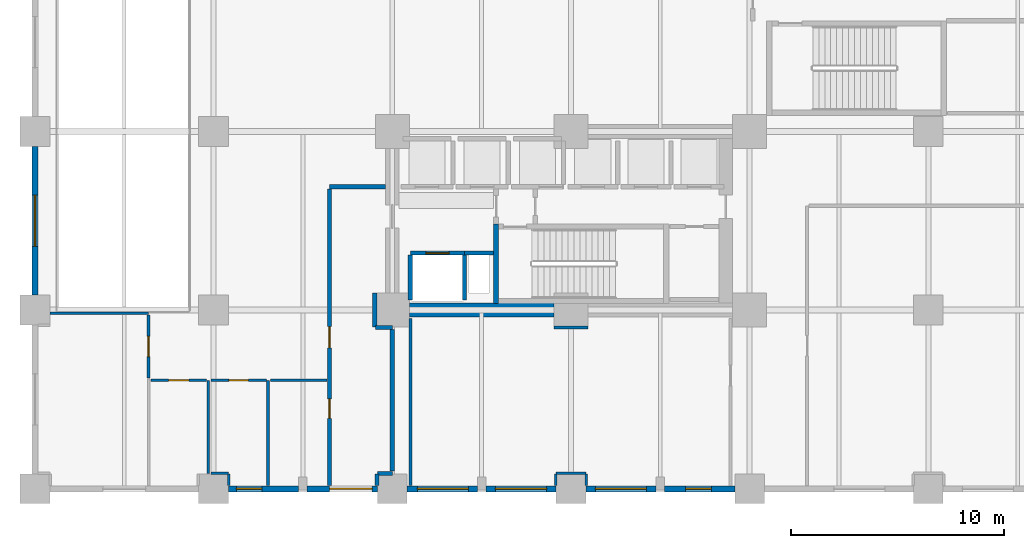
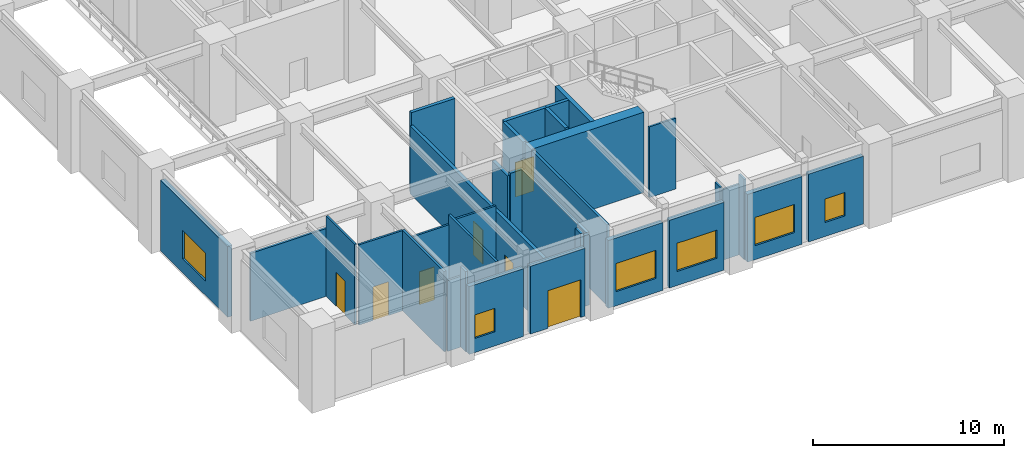
# One storey, part 3 of 13: 34 walls, 7 doors, 6 windows, 13 openings.
"""IFC4 building model written with IfcOpenShell, lengths in metres."""

from ifc_helpers import new_model, si_unit, direction, frame, frame_2d, origin, place, context, subcontext, project, spatial, rectangle, extrude, material, layer, layer_set, type_object, element, fill, save


model = new_model("IFC4")

# Units and contexts
model_context = context("Model", 3, precision=1e-05, world=origin(), true_north=direction((0.0, 1.0)))
body_context = subcontext(model_context, "Body", "Model", "MODEL_VIEW")
ifc_project = project(units=[si_unit("LENGTHUNIT", "METRE"), si_unit("AREAUNIT", "SQUARE_METRE"), si_unit("VOLUMEUNIT", "CUBIC_METRE"), si_unit("PLANEANGLEUNIT", "RADIAN"), si_unit("MASSUNIT", "GRAM", prefix="KILO")], contexts=[model_context])

# Site, building, storey
site_placement = place(None, origin())
site = spatial("IfcSite", under=ifc_project, at=site_placement, CompositionType="ELEMENT")
building_placement = place(site_placement, origin())
building = spatial("IfcBuilding", under=site, at=building_placement, Name="Nerrivon Quay Data Exchange", CompositionType="ELEMENT")
storey_placement = place(building_placement, origin())
storey = spatial("IfcBuildingStorey", under=building, at=storey_placement, Name="L00", CompositionType="ELEMENT", Elevation=0.0)

# Wall, opening, window
ifc_material_1 = material(Name="Precast concrete N50 (50 MPa)", Category="concrete")
ifc_layer_1 = layer(ifc_material_1, 0.280029296875)
ifc_layer_set_1 = layer_set([ifc_layer_1], Name="Precast concrete N50 (50 MPa)")
wall_type_1 = type_object("IfcWallType", Name="EW-PREC-280", PredefinedType="STANDARD", material=ifc_layer_set_1)
wall_1_placement = place(storey_placement, frame((0.0, 9.10009765625, 0.0), z_axis=(0.0, 0.0, 1.0), x_axis=(0.0, 1.0, 0.0)))
wall_1 = element("IfcWall", 1, at=wall_1_placement, inside=storey, type_object=wall_type_1, Name="L00 Podium Exterior Wall 2", PredefinedType="STANDARD", context=body_context, shape_type="SweptSolid", body=[
    extrude(rectangle(XDim=7.0, YDim=0.280029296875, at=frame_2d((3.5, 0.0))), origin(), (0.0, 0.0, 1.0), 4.512939453125),
])
opening_1_placement = place(wall_1_placement, frame((2.300048828125, 0.0, 0.89990234375)))
opening_1 = element("IfcOpeningElement", 2, at=opening_1_placement, cuts=wall_1, Name="Opening WN1", PredefinedType="OPENING", context=body_context, shape_type="SweptSolid", body=[
    extrude(rectangle(XDim=2.39990234375, YDim=1.800048828125, at=frame_2d((1.199951171875, 0.89990234375))), frame((0.0, 0.14990234375, 0.0), z_axis=(0.0, -1.0, 0.0), x_axis=(1.0, 0.0, 0.0)), (0.0, 0.0, 1.0), 0.300048828125),
])
ifc_material_2 = material(Name="Double-glazed low-E solar control glass", Category="glass")
window_type_1 = type_object("IfcWindowType", Name="WIN-W1-2400x1800", PartitioningType="SINGLE_PANEL", PredefinedType="WINDOW", material=ifc_material_2)
window_1_placement = place(opening_1_placement, origin())
window_1 = element("IfcWindow", 3, at=window_1_placement, inside=storey, type_object=window_type_1, Name="L00 Podium Window 2", OverallHeight=1.800048828125, OverallWidth=2.39990234375, PartitioningType="SINGLE_PANEL", PredefinedType="WINDOW", context=body_context, shape_type="SweptSolid", body=[
    extrude(rectangle(XDim=2.39990234375, YDim=1.800048828125, at=frame_2d((1.199951171875, 0.89990234375))), frame((0.0, 0.030029296875, 0.0), z_axis=(0.0, -1.0, 0.0), x_axis=(1.0, 0.0, 0.0)), (0.0, 0.0, 1.0), 0.06005859375),
])
fill(opening_1, window_1)

wall_2_placement = place(storey_placement, frame((32.89990234375, 0.0, 0.0), z_axis=(0.0, 0.0, 1.0), x_axis=(-1.0, 0.0, 0.0)))
wall_2 = element("IfcWall", 4, at=wall_2_placement, inside=storey, type_object=wall_type_1, Name="L00 Podium Exterior Wall 23", PredefinedType="STANDARD", context=body_context, shape_type="SweptSolid", body=[
    extrude(rectangle(XDim=3.2998046875, YDim=0.280029296875, at=frame_2d((1.64990234375, 0.0))), origin(), (0.0, 0.0, 1.0), 4.324951171875),
])
opening_2_placement = place(wall_2_placement, frame((1.10498046875, 0.0, 0.89990234375)))
opening_2 = element("IfcOpeningElement", 5, at=opening_2_placement, cuts=wall_2, Name="Opening WN3", PredefinedType="OPENING", context=body_context, shape_type="SweptSolid", body=[
    extrude(rectangle(XDim=1.199951171875, YDim=1.5, at=frame_2d((0.60009765625, 0.75))), frame((0.0, 0.14990234375, 0.0), z_axis=(0.0, -1.0, 0.0), x_axis=(1.0, 0.0, 0.0)), (0.0, 0.0, 1.0), 0.300048828125),
])
window_type_2 = type_object("IfcWindowType", Name="WIN-W3-1200x1500", PartitioningType="SINGLE_PANEL", PredefinedType="WINDOW", material=ifc_material_2)
window_2_placement = place(opening_2_placement, origin())
window_2 = element("IfcWindow", 6, at=window_2_placement, inside=storey, type_object=window_type_2, Name="L00 Podium Window 23", OverallHeight=1.5, OverallWidth=1.199951171875, PartitioningType="SINGLE_PANEL", PredefinedType="WINDOW", context=body_context, shape_type="SweptSolid", body=[
    extrude(rectangle(XDim=1.199951171875, YDim=1.5, at=frame_2d((0.60009765625, 0.75))), frame((0.0, 0.030029296875, 0.0), z_axis=(0.0, -1.0, 0.0), x_axis=(1.0, 0.0, 0.0)), (0.0, 0.0, 1.0), 0.06005859375),
])
fill(opening_2, window_2)

wall_3_placement = place(storey_placement, frame((29.199951171875, 0.0, 0.0), z_axis=(0.0, 0.0, 1.0), x_axis=(-1.0, 0.0, 0.0)))
wall_3 = element("IfcWall", 7, at=wall_3_placement, inside=storey, type_object=wall_type_1, Name="L00 Podium Exterior Wall 24", PredefinedType="STANDARD", context=body_context, shape_type="SweptSolid", body=[
    extrude(rectangle(XDim=3.300048828125, YDim=0.280029296875, at=frame_2d((1.64990234375, 0.0))), origin(), (0.0, 0.0, 1.0), 4.324951171875),
])
opening_3_placement = place(wall_3_placement, frame((0.449951171875, 0.0, 0.89990234375)))
opening_3 = element("IfcOpeningElement", 8, at=opening_3_placement, cuts=wall_3, Name="Opening WN1", PredefinedType="OPENING", context=body_context, shape_type="SweptSolid", body=[
    extrude(rectangle(XDim=2.39990234375, YDim=1.800048828125, at=frame_2d((1.199951171875, 0.89990234375))), frame((0.0, 0.14990234375, 0.0), z_axis=(0.0, -1.0, 0.0), x_axis=(1.0, 0.0, 0.0)), (0.0, 0.0, 1.0), 0.300048828125),
])
window_3_placement = place(opening_3_placement, origin())
window_3 = element("IfcWindow", 9, at=window_3_placement, inside=storey, type_object=window_type_1, Name="L00 Podium Window 24", OverallHeight=1.800048828125, OverallWidth=2.39990234375, PartitioningType="SINGLE_PANEL", PredefinedType="WINDOW", context=body_context, shape_type="SweptSolid", body=[
    extrude(rectangle(XDim=2.39990234375, YDim=1.800048828125, at=frame_2d((1.199951171875, 0.89990234375))), frame((0.0, 0.030029296875, 0.0), z_axis=(0.0, -1.0, 0.0), x_axis=(1.0, 0.0, 0.0)), (0.0, 0.0, 1.0), 0.06005859375),
])
fill(opening_3, window_3)

wall_4_placement = place(storey_placement, frame((24.5, 0.0, 0.0), z_axis=(0.0, 0.0, 1.0), x_axis=(-1.0, 0.0, 0.0)))
wall_4 = element("IfcWall", 10, at=wall_4_placement, inside=storey, type_object=wall_type_1, Name="L00 Podium Exterior Wall 25", PredefinedType="STANDARD", context=body_context, shape_type="SweptSolid", body=[
    extrude(rectangle(XDim=3.300048828125, YDim=0.280029296875, at=frame_2d((1.64990234375, 0.0))), origin(), (0.0, 0.0, 1.0), 4.324951171875),
])
opening_4_placement = place(wall_4_placement, frame((0.449951171875, 0.0, 0.89990234375)))
opening_4 = element("IfcOpeningElement", 11, at=opening_4_placement, cuts=wall_4, Name="Opening WN1", PredefinedType="OPENING", context=body_context, shape_type="SweptSolid", body=[
    extrude(rectangle(XDim=2.39990234375, YDim=1.800048828125, at=frame_2d((1.199951171875, 0.89990234375))), frame((0.0, 0.14990234375, 0.0), z_axis=(0.0, -1.0, 0.0), x_axis=(1.0, 0.0, 0.0)), (0.0, 0.0, 1.0), 0.300048828125),
])
window_4_placement = place(opening_4_placement, origin())
window_4 = element("IfcWindow", 12, at=window_4_placement, inside=storey, type_object=window_type_1, Name="L00 Podium Window 25", OverallHeight=1.800048828125, OverallWidth=2.39990234375, PartitioningType="SINGLE_PANEL", PredefinedType="WINDOW", context=body_context, shape_type="SweptSolid", body=[
    extrude(rectangle(XDim=2.39990234375, YDim=1.800048828125, at=frame_2d((1.199951171875, 0.89990234375))), frame((0.0, 0.030029296875, 0.0), z_axis=(0.0, -1.0, 0.0), x_axis=(1.0, 0.0, 0.0)), (0.0, 0.0, 1.0), 0.06005859375),
])
fill(opening_4, window_4)

wall_5_placement = place(storey_placement, frame((20.800048828125, 0.0, 0.0), z_axis=(0.0, 0.0, 1.0), x_axis=(-1.0, 0.0, 0.0)))
wall_5 = element("IfcWall", 13, at=wall_5_placement, inside=storey, type_object=wall_type_1, Name="L00 Podium Exterior Wall 26", PredefinedType="STANDARD", context=body_context, shape_type="SweptSolid", body=[
    extrude(rectangle(XDim=3.300048828125, YDim=0.280029296875, at=frame_2d((1.64990234375, 0.0))), origin(), (0.0, 0.0, 1.0), 4.324951171875),
])
opening_5_placement = place(wall_5_placement, frame((0.419921875, 0.0, 0.89990234375)))
opening_5 = element("IfcOpeningElement", 14, at=opening_5_placement, cuts=wall_5, Name="Opening WN1", PredefinedType="OPENING", context=body_context, shape_type="SweptSolid", body=[
    extrude(rectangle(XDim=2.39990234375, YDim=1.800048828125, at=frame_2d((1.199951171875, 0.89990234375))), frame((0.0, 0.14990234375, 0.0), z_axis=(0.0, -1.0, 0.0), x_axis=(1.0, 0.0, 0.0)), (0.0, 0.0, 1.0), 0.300048828125),
])
window_5_placement = place(opening_5_placement, origin())
window_5 = element("IfcWindow", 15, at=window_5_placement, inside=storey, type_object=window_type_1, Name="L00 Podium Window 26", OverallHeight=1.800048828125, OverallWidth=2.39990234375, PartitioningType="SINGLE_PANEL", PredefinedType="WINDOW", context=body_context, shape_type="SweptSolid", body=[
    extrude(rectangle(XDim=2.39990234375, YDim=1.800048828125, at=frame_2d((1.199951171875, 0.89990234375))), frame((0.0, 0.030029296875, 0.0), z_axis=(0.0, -1.0, 0.0), x_axis=(1.0, 0.0, 0.0)), (0.0, 0.0, 1.0), 0.06005859375),
])
fill(opening_5, window_5)

# Wall, opening, door
wall_6_placement = place(storey_placement, frame((16.10009765625, 0.0, 0.0), z_axis=(0.0, 0.0, 1.0), x_axis=(-1.0, 0.0, 0.0)))
wall_6 = element("IfcWall", 16, at=wall_6_placement, inside=storey, type_object=wall_type_1, Name="L00 Podium Exterior Wall 27", PredefinedType="STANDARD", context=body_context, shape_type="SweptSolid", body=[
    extrude(rectangle(XDim=3.300048828125, YDim=0.280029296875, at=frame_2d((1.64990234375, 0.0))), origin(), (0.0, 0.0, 1.0), 4.324951171875),
])
opening_6_placement = place(wall_6_placement, frame((0.25, 0.0, 0.0)))
opening_6 = element("IfcOpeningElement", 17, at=opening_6_placement, cuts=wall_6, Name="Opening ED1", PredefinedType="OPENING", context=body_context, shape_type="SweptSolid", body=[
    extrude(rectangle(XDim=2.0, YDim=2.39990234375, at=frame_2d((1.0, 1.199951171875))), frame((0.0, 0.14990234375, 0.0), z_axis=(0.0, -1.0, 0.0), x_axis=(1.0, 0.0, 0.0)), (0.0, 0.0, 1.0), 0.300048828125),
])
ifc_material_3 = material(Name="Anodised aluminium 6063-T6", Category="aluminium")
door_type_1 = type_object("IfcDoorType", Name="DR-EXT-2000x2400", OperationType="DOUBLE_DOOR_SINGLE_SWING", PredefinedType="DOOR", material=ifc_material_3)
door_1_placement = place(opening_6_placement, origin())
door_1 = element("IfcDoor", 18, at=door_1_placement, inside=storey, type_object=door_type_1, Name="South Frontage Fire-Isolated Exit Discharge Door", OperationType="DOUBLE_DOOR_SINGLE_SWING", OverallHeight=2.39990234375, OverallWidth=2.0, PredefinedType="DOOR", context=body_context, shape_type="SweptSolid", body=[
    extrude(rectangle(XDim=2.0, YDim=2.39990234375, at=frame_2d((1.0, 1.199951171875))), frame((0.0, 0.02490234375, 0.0), z_axis=(0.0, -1.0, 0.0), x_axis=(1.0, 0.0, 0.0)), (0.0, 0.0, 1.0), 0.050048828125),
])
fill(opening_6, door_1)

# Wall, opening, window
wall_7_placement = place(storey_placement, frame((12.39990234375, 0.0, 0.0), z_axis=(0.0, 0.0, 1.0), x_axis=(-1.0, 0.0, 0.0)))
wall_7 = element("IfcWall", 19, at=wall_7_placement, inside=storey, type_object=wall_type_1, Name="L00 Podium Exterior Wall 28", PredefinedType="STANDARD", context=body_context, shape_type="SweptSolid", body=[
    extrude(rectangle(XDim=3.2998046875, YDim=0.280029296875, at=frame_2d((1.64990234375, 0.0))), origin(), (0.0, 0.0, 1.0), 4.324951171875),
])
opening_7_placement = place(wall_7_placement, frame((1.72998046875, 0.0, 0.89990234375)))
opening_7 = element("IfcOpeningElement", 20, at=opening_7_placement, cuts=wall_7, Name="Opening WN3", PredefinedType="OPENING", context=body_context, shape_type="SweptSolid", body=[
    extrude(rectangle(XDim=1.199951171875, YDim=1.5, at=frame_2d((0.60009765625, 0.75))), frame((0.0, 0.14990234375, 0.0), z_axis=(0.0, -1.0, 0.0), x_axis=(1.0, 0.0, 0.0)), (0.0, 0.0, 1.0), 0.300048828125),
])
window_6_placement = place(opening_7_placement, origin())
window_6 = element("IfcWindow", 21, at=window_6_placement, inside=storey, type_object=window_type_2, Name="L00 Podium Window 28", OverallHeight=1.5, OverallWidth=1.199951171875, PartitioningType="SINGLE_PANEL", PredefinedType="WINDOW", context=body_context, shape_type="SweptSolid", body=[
    extrude(rectangle(XDim=1.199951171875, YDim=1.5, at=frame_2d((0.60009765625, 0.75))), frame((0.0, 0.030029296875, 0.0), z_axis=(0.0, -1.0, 0.0), x_axis=(1.0, 0.0, 0.0)), (0.0, 0.0, 1.0), 0.06005859375),
])
fill(opening_7, window_6)

# Walls
ifc_material_4 = material(Name="Concrete N80 (80 MPa)", Category="concrete")
ifc_layer_2 = layer(ifc_material_4, 0.64990234375)
ifc_layer_set_2 = layer_set([ifc_layer_2], Name="Concrete N80 (80 MPa)")
wall_type_2 = type_object("IfcWallType", Name="WALL-CW-850", PredefinedType="SHEAR", material=ifc_layer_set_2)
wall_8_placement = place(storey_placement, frame((17.60009765625, 8.39990234375, 0.0), z_axis=(0.0, 0.0, 1.0), x_axis=(1.0, 0.0, 0.0)))
element("IfcWall", 22, at=wall_8_placement, inside=storey, type_object=wall_type_2, Name="L00 East Split-Core Shear Wall ECW-S1", PredefinedType="SHEAR", context=body_context, shape_type="SweptSolid", body=[
    extrude(rectangle(XDim=6.7998046875, YDim=0.64990234375, at=frame_2d((3.39990234375, 0.0))), origin(), (0.0, 0.0, 1.0), 5.125),
])
ifc_material_5 = material(Name="Gypsum plasterboard on cold-formed framing", Category="gypsum")
ifc_layer_3 = layer(ifc_material_5, 0.199951171875)
ifc_layer_set_3 = layer_set([ifc_layer_3], Name="Gypsum plasterboard on cold-formed framing")
wall_type_3 = type_object("IfcWallType", Name="WALL-FW-200", PredefinedType="PARTITIONING", material=ifc_layer_set_3)
wall_9_placement = place(storey_placement, frame((20.199951171875, 11.080078125, 0.0), z_axis=(0.0, 0.0, 1.0), x_axis=(1.0, 0.0, 0.0)))
element("IfcWall", 23, at=wall_9_placement, inside=storey, type_object=wall_type_3, Name="L00 East Core MEP Riser Shaft Wall N", PredefinedType="PARTITIONING", context=body_context, shape_type="SweptSolid", body=[
    extrude(rectangle(XDim=1.35009765625, YDim=0.199951171875, at=frame_2d((0.675048828125, 0.0))), origin(), (0.0, 0.0, 1.0), 5.125),
])

# Wall, opening, door
wall_10_placement = place(storey_placement, frame((17.64990234375, 11.080078125, 0.0), z_axis=(0.0, 0.0, 1.0), x_axis=(1.0, 0.0, 0.0)))
wall_10 = element("IfcWall", 24, at=wall_10_placement, inside=storey, type_object=wall_type_3, Name="L00 Lift Front Wall FFL-2", PredefinedType="PARTITIONING", context=body_context, shape_type="SweptSolid", body=[
    extrude(rectangle(XDim=2.550048828125, YDim=0.199951171875, at=frame_2d((1.27490234375, 0.0))), origin(), (0.0, 0.0, 1.0), 5.125),
])
opening_8_placement = place(wall_10_placement, frame((0.72509765625, 0.0, 0.0)))
opening_8 = element("IfcOpeningElement", 25, at=opening_8_placement, cuts=wall_10, Name="Opening LD-120", PredefinedType="OPENING", context=body_context, shape_type="SweptSolid", body=[
    extrude(rectangle(XDim=1.10009765625, YDim=2.199951171875, at=frame_2d((0.550048828125, 1.10009765625))), frame((0.0, 0.10986328125, 0.0), z_axis=(0.0, -1.0, 0.0), x_axis=(1.0, 0.0, 0.0)), (0.0, 0.0, 1.0), 0.219970703125),
])
ifc_material_6 = material(Name="Powder-coated galvanized steel sheet", Category="steel")
door_type_2 = type_object("IfcDoorType", Name="DR-LIFT-LD120", OperationType="DOUBLE_DOOR_SLIDING", PredefinedType="DOOR", material=ifc_material_6)
door_2_placement = place(opening_8_placement, origin())
door_2 = element("IfcDoor", 26, at=door_2_placement, inside=storey, type_object=door_type_2, Name="L00 Lift Landing Sliding Door FFL-2", OperationType="DOUBLE_DOOR_SLIDING", OverallHeight=2.199951171875, OverallWidth=1.10009765625, PredefinedType="DOOR", context=body_context, shape_type="SweptSolid", body=[
    extrude(rectangle(XDim=1.10009765625, YDim=2.199951171875, at=frame_2d((0.550048828125, 1.10009765625))), frame((0.0, 0.02490234375, 0.0), z_axis=(0.0, -1.0, 0.0), x_axis=(1.0, 0.0, 0.0)), (0.0, 0.0, 1.0), 0.050048828125),
])
fill(opening_8, door_2)

# Walls
for number, where, z_axis, x_axis, name in (
    (27, (20.199951171875, 8.8798828125, 0.0), (0.0, 0.0, 1.0), (0.0, 1.0, 0.0), "L00 Lift Shaft Wall FFL-2 EAST"),
    (28, (17.64990234375, 8.8798828125, 0.0), (0.0, 0.0, 1.0), (0.0, 1.0, 0.0), "L00 Lift Shaft Wall FFL-2 WEST"),
):
    element("IfcWall", number, at=place(storey_placement, frame(where, z_axis=z_axis, x_axis=x_axis)), inside=storey, type_object=wall_type_3, Name=name, PredefinedType="PARTITIONING", context=body_context, shape_type="SweptSolid", body=[
        extrude(rectangle(XDim=2.10009765625, YDim=0.199951171875, at=frame_2d((1.050048828125, 0.0))), origin(), (0.0, 0.0, 1.0), 5.125),
    ])
wall_11_placement = place(storey_placement, frame((16.800048828125, 7.580078125, 0.0), z_axis=(0.0, 0.0, 1.0), x_axis=(-1.0, 0.0, 0.0)))
element("IfcWall", 29, at=wall_11_placement, inside=storey, type_object=wall_type_3, Name="L00 Partition East Protected Exit Passageway", PredefinedType="PARTITIONING", context=body_context, shape_type="SweptSolid", body=[
    extrude(rectangle(XDim=0.800048828125, YDim=0.199951171875, at=frame_2d((0.39990234375, 0.0))), origin(), (0.0, 0.0, 1.0), 4.512939453125),
])
wall_12_placement = place(storey_placement, frame((15.97998046875, 7.60009765625, 0.0), z_axis=(0.0, 0.0, 1.0), x_axis=(0.000608179909, 0.999999815059, 0.0)))
element("IfcWall", 30, at=wall_12_placement, inside=storey, type_object=wall_type_3, Name="L00 Partition East Protected Exit Passageway", PredefinedType="PARTITIONING", context=body_context, shape_type="SweptSolid", body=[
    extrude(rectangle(XDim=1.605712890625, YDim=0.199951171875, at=frame_2d((0.802734375, 0.0))), origin(), (0.0, 0.0, 1.0), 4.324951171875),
])
wall_13_placement = place(storey_placement, frame((16.470947265625, 14.199951171875, 0.0), z_axis=(0.0, 0.0, 1.0), x_axis=(-1.0, 0.0, 0.0)))
element("IfcWall", 31, at=wall_13_placement, inside=storey, type_object=wall_type_3, Name="L00 Partition East Protected Exit Passageway", PredefinedType="PARTITIONING", context=body_context, shape_type="SweptSolid", body=[
    extrude(rectangle(XDim=2.620849609375, YDim=0.199951171875, at=frame_2d((1.310546875, 0.0))), origin(), (0.0, 0.0, 1.0), 5.125),
])

# Wall, openings, doors
wall_14_placement = place(storey_placement, frame((13.85009765625, 14.095947265625, 0.0), z_axis=(0.0, 0.0, 1.0), x_axis=(0.0, -1.0, 0.0)))
wall_14 = element("IfcWall", 32, at=wall_14_placement, inside=storey, type_object=wall_type_3, Name="L00 Partition East Protected Exit Passageway", PredefinedType="PARTITIONING", context=body_context, shape_type="SweptSolid", body=[
    extrude(rectangle(XDim=13.951904296875, YDim=0.199951171875, at=frame_2d((6.97607421875, 0.0))), origin(), (0.0, 0.0, 1.0), 4.324951171875),
])
opening_9_placement = place(wall_14_placement, frame((6.47607421875, 0.0, 0.0)))
opening_9 = element("IfcOpeningElement", 33, at=opening_9_placement, cuts=wall_14, Name="Opening FD-60", PredefinedType="OPENING", context=body_context, shape_type="SweptSolid", body=[
    extrude(rectangle(XDim=1.0, YDim=2.14990234375, at=frame_2d((0.5, 1.074951171875))), frame((0.0, 0.10986328125, 0.0), z_axis=(0.0, -1.0, 0.0), x_axis=(1.0, 0.0, 0.0)), (0.0, 0.0, 1.0), 0.219970703125),
])
opening_10_placement = place(wall_14_placement, frame((9.864501953125, 0.0, 0.0)))
opening_10 = element("IfcOpeningElement", 34, at=opening_10_placement, cuts=wall_14, Name="Opening D-WC", PredefinedType="OPENING", context=body_context, shape_type="SweptSolid", body=[
    extrude(rectangle(XDim=0.919921875, YDim=2.10009765625, at=frame_2d((0.4599609375, 1.050048828125))), frame((0.0, 0.10986328125, 0.0), z_axis=(0.0, -1.0, 0.0), x_axis=(1.0, 0.0, 0.0)), (0.0, 0.0, 1.0), 0.219970703125),
])
ifc_material_7 = material(Name="Engineered hardwood timber", Category="wood")
door_type_3 = type_object("IfcDoorType", Name="DR-FD60-1000", OperationType="NOTDEFINED", PredefinedType="DOOR", material=ifc_material_7)
door_3_placement = place(opening_9_placement, origin())
door_3 = element("IfcDoor", 35, at=door_3_placement, inside=storey, type_object=door_type_3, Name="L00 Door East Protected Exit Passageway", OperationType="SINGLE_SWING_LEFT", OverallHeight=2.14990234375, OverallWidth=1.0, PredefinedType="DOOR", context=body_context, shape_type="SweptSolid", body=[
    extrude(rectangle(XDim=1.0, YDim=2.14990234375, at=frame_2d((0.5, 1.074951171875))), frame((0.0, 0.02490234375, 0.0), z_axis=(0.0, -1.0, 0.0), x_axis=(1.0, 0.0, 0.0)), (0.0, 0.0, 1.0), 0.050048828125),
])
fill(opening_9, door_3)
door_type_4 = type_object("IfcDoorType", Name="DR-WC-920", OperationType="NOTDEFINED", PredefinedType="DOOR", material=ifc_material_7)
door_4_placement = place(opening_10_placement, origin())
door_4 = element("IfcDoor", 36, at=door_4_placement, inside=storey, type_object=door_type_4, Name="L00 Door Public Washrooms", OperationType="SINGLE_SWING_LEFT", OverallHeight=2.10009765625, OverallWidth=0.919921875, PredefinedType="DOOR", context=body_context, shape_type="SweptSolid", body=[
    extrude(rectangle(XDim=0.919921875, YDim=2.10009765625, at=frame_2d((0.4599609375, 1.050048828125))), frame((0.0, 0.02490234375, 0.0), z_axis=(0.0, -1.0, 0.0), x_axis=(1.0, 0.0, 0.0)), (0.0, 0.0, 1.0), 0.050048828125),
])
fill(opening_10, door_4)

# Walls
wall_15_placement = place(storey_placement, frame((16.080078125, 0.14404296875, 0.0), z_axis=(0.0, 0.0, 1.0), x_axis=(0.0, 1.0, 0.0)))
element("IfcWall", 37, at=wall_15_placement, inside=storey, type_object=wall_type_3, Name="L00 Partition East Protected Exit Passageway", PredefinedType="PARTITIONING", context=body_context, shape_type="SweptSolid", body=[
    extrude(rectangle(XDim=0.555908203125, YDim=0.199951171875, at=frame_2d((0.27783203125, 0.0))), origin(), (0.0, 0.0, 1.0), 5.125),
])
wall_16_placement = place(storey_placement, frame((16.10009765625, 0.719970703125, 0.0), z_axis=(0.0, 0.0, 1.0), x_axis=(1.0, 0.0, 0.0)))
element("IfcWall", 38, at=wall_16_placement, inside=storey, type_object=wall_type_3, Name="L00 Partition East Protected Exit Passageway", PredefinedType="PARTITIONING", context=body_context, shape_type="SweptSolid", body=[
    extrude(rectangle(XDim=0.699951171875, YDim=0.199951171875, at=frame_2d((0.35009765625, 0.0))), origin(), (0.0, 0.0, 1.0), 4.512939453125),
])
wall_17_placement = place(storey_placement, frame((16.800048828125, 0.823974609375, 0.0), z_axis=(0.0, 0.0, 1.0), x_axis=(0.0, 1.0, 0.0)))
element("IfcWall", 39, at=wall_17_placement, inside=storey, type_object=wall_type_3, Name="L00 Partition East Protected Exit Passageway", PredefinedType="PARTITIONING", context=body_context, shape_type="SweptSolid", body=[
    extrude(rectangle(XDim=6.652099609375, YDim=0.199951171875, at=frame_2d((3.326171875, 0.0))), origin(), (0.0, 0.0, 1.0), 4.512939453125),
])
ifc_layer_4 = layer(ifc_material_5, 0.1201171875)
ifc_layer_set_4 = layer_set([ifc_layer_4], Name="Gypsum plasterboard on cold-formed framing")
wall_type_4 = type_object("IfcWallType", Name="WALL-PT-120", PredefinedType="PARTITIONING", material=ifc_layer_set_4)
wall_18_placement = place(storey_placement, frame((24.47998046875, 0.14404296875, 0.0), z_axis=(0.0, 0.0, 1.0), x_axis=(0.0, 1.0, 0.0)))
element("IfcWall", 40, at=wall_18_placement, inside=storey, type_object=wall_type_4, Name="L00 Partition Subsea Meet-Me Suite", PredefinedType="PARTITIONING", context=body_context, shape_type="SweptSolid", body=[
    extrude(rectangle(XDim=0.555908203125, YDim=0.1201171875, at=frame_2d((0.27783203125, 0.0))), origin(), (0.0, 0.0, 1.0), 5.125),
])
wall_19_placement = place(storey_placement, frame((24.5, 0.719970703125, 0.0), z_axis=(0.0, 0.0, 1.0), x_axis=(1.0, 0.0, 0.0)))
element("IfcWall", 41, at=wall_19_placement, inside=storey, type_object=wall_type_4, Name="L00 Partition Subsea Meet-Me Suite", PredefinedType="PARTITIONING", context=body_context, shape_type="SweptSolid", body=[
    extrude(rectangle(XDim=1.39990234375, YDim=0.1201171875, at=frame_2d((0.699951171875, 0.0))), origin(), (0.0, 0.0, 1.0), 4.512939453125),
])
wall_20_placement = place(storey_placement, frame((25.919921875, 0.699951171875, 0.0), z_axis=(0.0, 0.0, 1.0), x_axis=(0.0, -1.0, 0.0)))
element("IfcWall", 42, at=wall_20_placement, inside=storey, type_object=wall_type_4, Name="L00 Partition Subsea Meet-Me Suite", PredefinedType="PARTITIONING", context=body_context, shape_type="SweptSolid", body=[
    extrude(rectangle(XDim=0.555908203125, YDim=0.1201171875, at=frame_2d((0.27783203125, 0.0))), origin(), (0.0, 0.0, 1.0), 5.125),
])
wall_21_placement = place(storey_placement, frame((26.005859375, 7.580810546875, 0.0), z_axis=(0.0, 0.0, 1.0), x_axis=(-0.999999896002, -0.000456065626, 0.0)))
element("IfcWall", 43, at=wall_21_placement, inside=storey, type_object=wall_type_4, Name="L00 Partition Subsea Meet-Me Suite", PredefinedType="PARTITIONING", context=body_context, shape_type="SweptSolid", body=[
    extrude(rectangle(XDim=1.60595703125, YDim=0.1201171875, at=frame_2d((0.802978515625, 0.0))), origin(), (0.0, 0.0, 1.0), 4.512939453125),
])

# Wall, opening, door
wall_22_placement = place(storey_placement, frame((5.340087890625, 5.199951171875, 0.0), z_axis=(0.0, 0.0, 1.0), x_axis=(0.0, 1.0, 0.0)))
wall_22 = element("IfcWall", 44, at=wall_22_placement, inside=storey, type_object=wall_type_4, Name="L00 Partition Harbour Retail Kiosk", PredefinedType="PARTITIONING", context=body_context, shape_type="SweptSolid", body=[
    extrude(rectangle(XDim=2.978515625, YDim=0.1201171875, at=frame_2d((1.4892578125, 0.0))), origin(), (0.0, 0.0, 1.0), 5.125),
])
opening_11_placement = place(wall_22_placement, frame((1.01416015625, 0.0, 0.0)))
opening_11 = element("IfcOpeningElement", 45, at=opening_11_placement, cuts=wall_22, Name="Opening D-01", PredefinedType="OPENING", context=body_context, shape_type="SweptSolid", body=[
    extrude(rectangle(XDim=0.949951171875, YDim=2.14990234375, at=frame_2d((0.47509765625, 1.074951171875))), frame((0.0, 0.070068359375, 0.0), z_axis=(0.0, -1.0, 0.0), x_axis=(1.0, 0.0, 0.0)), (0.0, 0.0, 1.0), 0.14013671875),
])
door_type_5 = type_object("IfcDoorType", Name="DR-INT-950", OperationType="NOTDEFINED", PredefinedType="DOOR", material=ifc_material_7)
door_5_placement = place(opening_11_placement, origin())
door_5 = element("IfcDoor", 46, at=door_5_placement, inside=storey, type_object=door_type_5, Name="L00 Door Harbour Retail Kiosk", OperationType="SINGLE_SWING_RIGHT", OverallHeight=2.14990234375, OverallWidth=0.949951171875, PredefinedType="DOOR", context=body_context, shape_type="SweptSolid", body=[
    extrude(rectangle(XDim=0.949951171875, YDim=2.14990234375, at=frame_2d((0.47509765625, 1.074951171875))), frame((0.0, 0.02490234375, 0.0), z_axis=(0.0, -1.0, 0.0), x_axis=(1.0, 0.0, 0.0)), (0.0, 0.0, 1.0), 0.050048828125),
])
fill(opening_11, door_5)

wall_23_placement = place(storey_placement, frame((8.07861328125, 5.10009765625, 0.0), z_axis=(0.0, 0.0, 1.0), x_axis=(-1.0, 0.0, 0.0)))
wall_23 = element("IfcWall", 47, at=wall_23_placement, inside=storey, type_object=wall_type_4, Name="L00 Partition Staff Pantry", PredefinedType="PARTITIONING", context=body_context, shape_type="SweptSolid", body=[
    extrude(rectangle(XDim=2.628662109375, YDim=0.1201171875, at=frame_2d((1.314453125, 0.0))), origin(), (0.0, 0.0, 1.0), 5.125),
])
opening_12_placement = place(wall_23_placement, frame((0.839111328125, 0.0, 0.0)))
opening_12 = element("IfcOpeningElement", 48, at=opening_12_placement, cuts=wall_23, Name="Opening D-01", PredefinedType="OPENING", context=body_context, shape_type="SweptSolid", body=[
    extrude(rectangle(XDim=0.949951171875, YDim=2.14990234375, at=frame_2d((0.47509765625, 1.074951171875))), frame((0.0, 0.070068359375, 0.0), z_axis=(0.0, -1.0, 0.0), x_axis=(1.0, 0.0, 0.0)), (0.0, 0.0, 1.0), 0.14013671875),
])
door_6_placement = place(opening_12_placement, origin())
door_6 = element("IfcDoor", 49, at=door_6_placement, inside=storey, type_object=door_type_5, Name="L00 Door Staff Pantry", OperationType="SINGLE_SWING_LEFT", OverallHeight=2.14990234375, OverallWidth=0.949951171875, PredefinedType="DOOR", context=body_context, shape_type="SweptSolid", body=[
    extrude(rectangle(XDim=0.949951171875, YDim=2.14990234375, at=frame_2d((0.47509765625, 1.074951171875))), frame((0.0, 0.02490234375, 0.0), z_axis=(0.0, -1.0, 0.0), x_axis=(1.0, 0.0, 0.0)), (0.0, 0.0, 1.0), 0.050048828125),
])
fill(opening_12, door_6)

# Walls
wall_24_placement = place(storey_placement, frame((8.27001953125, 0.719970703125, 0.0), z_axis=(0.0, 0.0, 1.0), x_axis=(1.0, 0.0, 0.0)))
element("IfcWall", 50, at=wall_24_placement, inside=storey, type_object=wall_type_4, Name="L00 Partition Accessible Toilet", PredefinedType="PARTITIONING", context=body_context, shape_type="SweptSolid", body=[
    extrude(rectangle(XDim=0.830078125, YDim=0.1201171875, at=frame_2d((0.4150390625, 0.0))), origin(), (0.0, 0.0, 1.0), 4.512939453125),
])
wall_25_placement = place(storey_placement, frame((9.1201171875, 0.699951171875, 0.0), z_axis=(0.0, 0.0, 1.0), x_axis=(0.0, -1.0, 0.0)))
element("IfcWall", 51, at=wall_25_placement, inside=storey, type_object=wall_type_4, Name="L00 Partition Accessible Toilet", PredefinedType="PARTITIONING", context=body_context, shape_type="SweptSolid", body=[
    extrude(rectangle(XDim=0.555908203125, YDim=0.1201171875, at=frame_2d((0.27783203125, 0.0))), origin(), (0.0, 0.0, 1.0), 5.125),
])

# Wall, opening, door
wall_26_placement = place(storey_placement, frame((10.87841796875, 5.10009765625, 0.0), z_axis=(0.0, 0.0, 1.0), x_axis=(-1.0, 0.0, 0.0)))
wall_26 = element("IfcWall", 52, at=wall_26_placement, inside=storey, type_object=wall_type_4, Name="L00 Partition Accessible Toilet", PredefinedType="PARTITIONING", context=body_context, shape_type="SweptSolid", body=[
    extrude(rectangle(XDim=2.6083984375, YDim=0.1201171875, at=frame_2d((1.30419921875, 0.0))), origin(), (0.0, 0.0, 1.0), 4.512939453125),
])
opening_13_placement = place(wall_26_placement, frame((0.84423828125, 0.0, 0.0)))
opening_13 = element("IfcOpeningElement", 53, at=opening_13_placement, cuts=wall_26, Name="Opening D-WC", PredefinedType="OPENING", context=body_context, shape_type="SweptSolid", body=[
    extrude(rectangle(XDim=0.919921875, YDim=2.10009765625, at=frame_2d((0.4599609375, 1.050048828125))), frame((0.0, 0.070068359375, 0.0), z_axis=(0.0, -1.0, 0.0), x_axis=(1.0, 0.0, 0.0)), (0.0, 0.0, 1.0), 0.14013671875),
])
door_7_placement = place(opening_13_placement, origin())
door_7 = element("IfcDoor", 54, at=door_7_placement, inside=storey, type_object=door_type_4, Name="L00 Door Accessible Toilet", OperationType="SINGLE_SWING_RIGHT", OverallHeight=2.10009765625, OverallWidth=0.919921875, PredefinedType="DOOR", context=body_context, shape_type="SweptSolid", body=[
    extrude(rectangle(XDim=0.919921875, YDim=2.10009765625, at=frame_2d((0.4599609375, 1.050048828125))), frame((0.0, 0.02490234375, 0.0), z_axis=(0.0, -1.0, 0.0), x_axis=(1.0, 0.0, 0.0)), (0.0, 0.0, 1.0), 0.050048828125),
])
fill(opening_13, door_7)

# Walls
wall_27_placement = place(storey_placement, frame((13.72998046875, 5.10009765625, 0.0), z_axis=(0.0, 0.0, 1.0), x_axis=(-1.0, 0.0, 0.0)))
element("IfcWall", 55, at=wall_27_placement, inside=storey, type_object=wall_type_4, Name="L00 Partition Public Washrooms", PredefinedType="PARTITIONING", context=body_context, shape_type="SweptSolid", body=[
    extrude(rectangle(XDim=2.659912109375, YDim=0.1201171875, at=frame_2d((1.330078125, 0.0))), origin(), (0.0, 0.0, 1.0), 4.721923828125),
])
ifc_layer_5 = layer(ifc_material_5, 0.135009765625)
ifc_layer_set_5 = layer_set([ifc_layer_5], Name="Gypsum plasterboard on cold-formed framing")
wall_type_5 = type_object("IfcWallType", Name="WALL-PT-135", PredefinedType="PARTITIONING", material=ifc_layer_set_5)
wall_28_placement = place(storey_placement, frame((5.340087890625, 8.25, 0.0), z_axis=(0.0, 0.0, 1.0), x_axis=(-1.0, 0.0, 0.0)))
element("IfcWall", 56, at=wall_28_placement, inside=storey, type_object=wall_type_5, Name="L00 Partition Harbour Retail Kiosk", PredefinedType="PARTITIONING", context=body_context, shape_type="SweptSolid", body=[
    extrude(rectangle(XDim=4.6201171875, YDim=0.135009765625, at=frame_2d((2.31005859375, 0.0))), origin(), (0.0, 0.0, 1.0), 4.324951171875),
])
wall_29_placement = place(storey_placement, frame((8.14990234375, 0.719970703125, 0.0), z_axis=(0.0, 0.0, 1.0), x_axis=(0.0, 1.0, 0.0)))
element("IfcWall", 57, at=wall_29_placement, inside=storey, type_object=wall_type_5, Name="L00 Partition Staff Pantry", PredefinedType="PARTITIONING", context=body_context, shape_type="SweptSolid", body=[
    extrude(rectangle(XDim=4.380126953125, YDim=0.135009765625, at=frame_2d((2.18994140625, 0.0))), origin(), (0.0, 0.0, 1.0), 5.125),
])
wall_30_placement = place(storey_placement, frame((10.949951171875, 0.14404296875, 0.0), z_axis=(0.0, 0.0, 1.0), x_axis=(0.0, 1.0, 0.0)))
element("IfcWall", 58, at=wall_30_placement, inside=storey, type_object=wall_type_5, Name="L00 Partition Accessible Toilet", PredefinedType="PARTITIONING", context=body_context, shape_type="SweptSolid", body=[
    extrude(rectangle(XDim=4.9560546875, YDim=0.135009765625, at=frame_2d((2.47802734375, 0.0))), origin(), (0.0, 0.0, 1.0), 5.125),
])
ifc_layer_6 = layer(ifc_material_5, 0.14990234375)
ifc_layer_set_6 = layer_set([ifc_layer_6], Name="Gypsum plasterboard on cold-formed framing")
wall_type_6 = type_object("IfcWallType", Name="WALL-PT-150", PredefinedType="PARTITIONING", material=ifc_layer_set_6)
wall_31_placement = place(storey_placement, frame((17.64990234375, 8.0, 0.0), z_axis=(0.0, 0.0, 1.0), x_axis=(0.0, -1.0, 0.0)))
element("IfcWall", 59, at=wall_31_placement, inside=storey, type_object=wall_type_6, Name="L00 Partition Subsea Meet-Me Suite", PredefinedType="PARTITIONING", context=body_context, shape_type="SweptSolid", body=[
    extrude(rectangle(XDim=7.85595703125, YDim=0.14990234375, at=frame_2d((3.927978515625, 0.0))), origin(), (0.0, 0.0, 1.0), 5.125),
])
ifc_material_8 = material(Name="Concrete N50 (50 MPa)", Category="concrete")
ifc_layer_7 = layer(ifc_material_8, 0.25)
ifc_layer_set_7 = layer_set([ifc_layer_7], Name="Concrete N50 (50 MPa)")
wall_type_7 = type_object("IfcWallType", Name="WALL-SW-250", PredefinedType="SHEAR", material=ifc_layer_set_7)
wall_32_placement = place(storey_placement, frame((21.675048828125, 8.699951171875, 0.0), z_axis=(0.0, 0.0, 1.0), x_axis=(0.0, 1.0, 0.0)))
element("IfcWall", 60, at=wall_32_placement, inside=storey, type_object=wall_type_7, Name="L00 ST02 Structural Stair Core Wall NEAR", PredefinedType="SHEAR", context=body_context, shape_type="SweptSolid", body=[
    extrude(rectangle(XDim=3.75, YDim=0.25, at=frame_2d((1.875, 0.0))), origin(), (0.0, 0.0, 1.0), 5.125),
])

save(model, "model.ifc")
